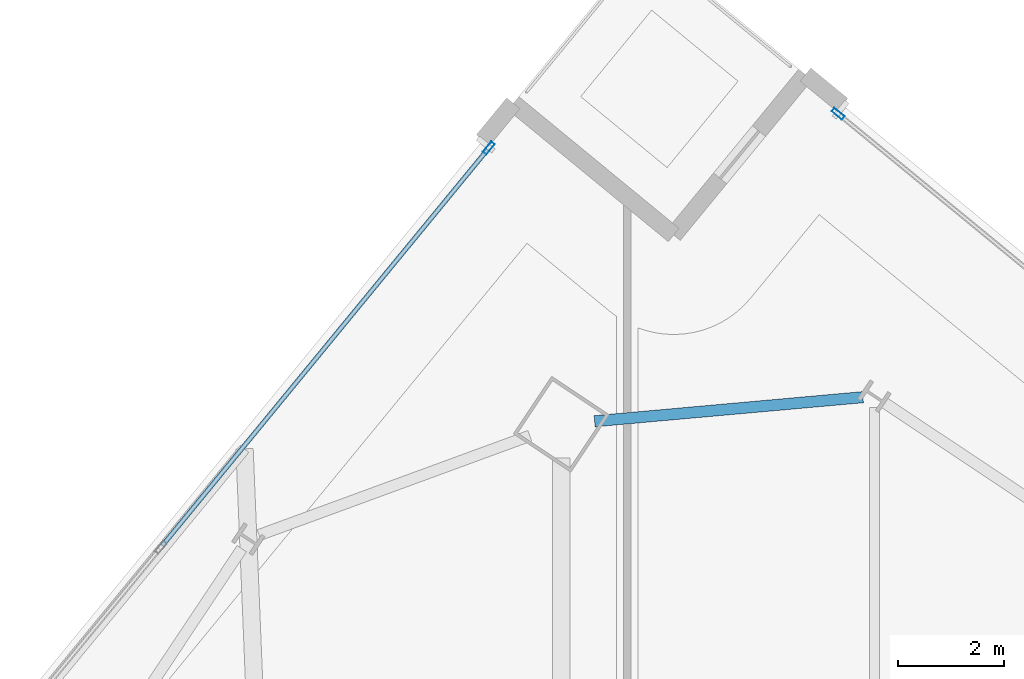
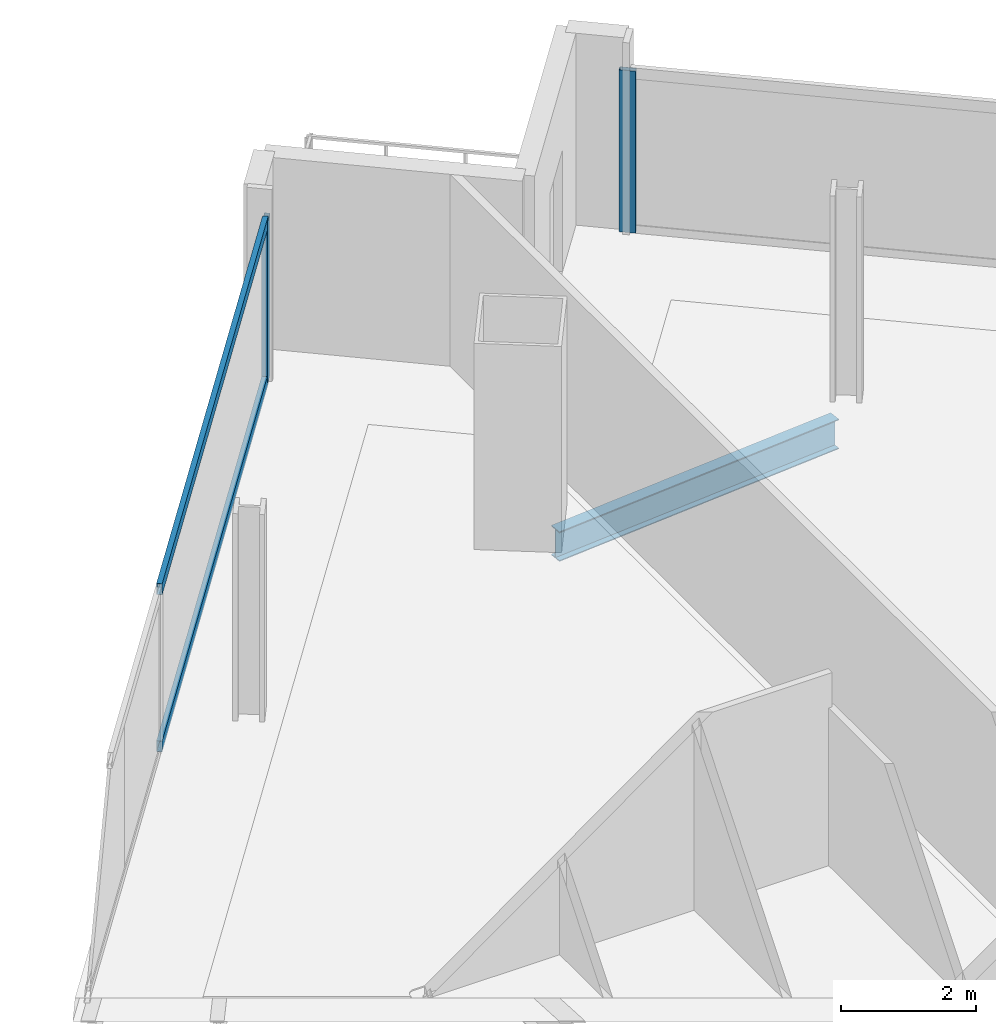
# One storey, part 15 of 28: 4 members, 1 beam, 2 elements without a shape of their own.
"""IFC4 building model written with IfcOpenShell, lengths in metres."""

from ifc_helpers import new_model, si_unit, direction, frame, origin, origin_2d, place, context, subcontext, project, spatial, hollow_rectangle, i_section, extrude, material, material_profile, profile_set, type_object, element, aggregate, save


model = new_model("IFC4")

# Units and contexts
model_context = context("Model", 3, precision=1e-05, world=origin(), true_north=direction((0.0, 1.0)))
body_context = subcontext(model_context, "Body", "Model", "MODEL_VIEW")
ifc_project = project(units=[si_unit("LENGTHUNIT", "METRE"), si_unit("AREAUNIT", "SQUARE_METRE"), si_unit("VOLUMEUNIT", "CUBIC_METRE"), si_unit("PLANEANGLEUNIT", "RADIAN"), si_unit("MASSUNIT", "GRAM", prefix="KILO")], contexts=[model_context])

# Site, building, storey
site_placement = place(None, origin())
site = spatial("IfcSite", under=ifc_project, at=site_placement, CompositionType="ELEMENT")
building_placement = place(site_placement, origin())
building = spatial("IfcBuilding", under=site, at=building_placement, Name="Haldenkirk Collegiate Tower", CompositionType="ELEMENT")
storey_placement = place(building_placement, frame((0.0, 0.0, 198.449951171875)))
storey = spatial("IfcBuildingStorey", under=building, at=storey_placement, Name="L49", CompositionType="ELEMENT", Elevation=198.449951171875)

# Beam
ifc_material_1 = material(Name="Steel ASTM A992 Grade 50", Category="steel")
ifc_material_profile_1 = material_profile(ifc_material_1, i_section(OverallWidth=0.2099609375, OverallDepth=0.537109375, WebThickness=0.010986328125, FlangeThickness=0.017333984375, at=origin_2d()), Name="W21X68")
ifc_profile_set_1 = profile_set([ifc_material_profile_1], Name="Steel ASTM A992 Grade 50")
beam_type = type_object("IfcBeamType", Name="BM-SPANDREL-W21X68", PredefinedType="SPANDREL", material=ifc_profile_set_1)
beam_placement = place(storey_placement, frame((37.9765625, 50.649169921875, -0.54833984375), z_axis=(-0.996001224794, -0.089339578066, 0.0), x_axis=(0.089339578066, -0.996001224794, 0.0)))
element("IfcBeam", 1, at=beam_placement, inside=storey, type_object=beam_type, Name="L49 perimeter spandrel beam 08", PredefinedType="SPANDREL", context=body_context, shape_type="SweptSolid", body=[
    extrude(i_section(OverallWidth=0.2099609375, OverallDepth=0.537109375, WebThickness=0.010986328125, FlangeThickness=0.017333984375, at=origin_2d()), origin(), (0.0, 0.0, 1.0), 5.06103515625),
])

# Curtain wall, member
ifc_material_2 = material(Name="Anodised architectural bronze aluminium", Category="aluminium")
curtain_wall_type = type_object("IfcCurtainWallType", Name="CW-SYS1B-CONVEX-HI", PredefinedType="USERDEFINED", material=ifc_material_2)
curtain_wall_1_placement = place(storey_placement, origin())
curtain_wall_1 = element("IfcCurtainWall", 2, at=curtain_wall_1_placement, inside=storey, type_object=curtain_wall_type, Name="L49 Upper tower high-wind convex bronze unitised curtain wall", ObjectType="UNITISED CURTAIN WALL", PredefinedType="USERDEFINED")
ifc_material_profile_2 = material_profile(ifc_material_2, hollow_rectangle(XDim=0.0849609375, YDim=0.25, WallThickness=0.0048828125, at=origin_2d()), Name="CW-MUL-1B")
ifc_profile_set_2 = profile_set([ifc_material_profile_2], Name="Anodised architectural bronze aluminium")
member_type_1 = type_object("IfcMemberType", Name="CW-MUL-1B", PredefinedType="MULLION", material=ifc_profile_set_2)
member_1_placement = place(storey_placement, frame((37.5107421875, 55.97314453125, 0.0), z_axis=(0.0, 0.0, 1.0), x_axis=(0.634731907043, 0.772732428582, 0.0)))
member_1 = element("IfcMember", 3, at=member_1_placement, type_object=member_type_1, Name="CW-1B mullion 1", PredefinedType="MULLION", context=body_context, shape_type="SweptSolid", body=[
    extrude(hollow_rectangle(XDim=0.0849609375, YDim=0.25, WallThickness=0.0048828125, at=origin_2d()), origin(), (0.0, 0.0, 1.0), 2.927978515625),
])
aggregate(curtain_wall_1, [member_1])

# Curtain wall, members
curtain_wall_2_placement = place(storey_placement, origin())
curtain_wall_2 = element("IfcCurtainWall", 4, at=curtain_wall_2_placement, inside=storey, type_object=curtain_wall_type, Name="L49 Upper tower high-wind convex bronze unitised curtain wall", ObjectType="UNITISED CURTAIN WALL", PredefinedType="USERDEFINED")
member_2_placement = place(storey_placement, frame((30.9482421875, 55.329345703125, 0.0), z_axis=(0.0, 0.0, 1.0), x_axis=(-0.772732318121, 0.634732041519, 0.0)))
member_2 = element("IfcMember", 5, at=member_2_placement, type_object=member_type_1, Name="CW-1B mullion 5", PredefinedType="MULLION", context=body_context, shape_type="SweptSolid", body=[
    extrude(hollow_rectangle(XDim=0.0849609375, YDim=0.25, WallThickness=0.0048828125, at=origin_2d()), origin(), (0.0, 0.0, 1.0), 2.927978515625),
])
ifc_material_profile_3 = material_profile(ifc_material_2, hollow_rectangle(XDim=0.0849609375, YDim=0.199951171875, WallThickness=0.0048828125, at=origin_2d()), Name="CW-TRN-1B")
ifc_profile_set_3 = profile_set([ifc_material_profile_3], Name="Anodised architectural bronze aluminium")
member_type_2 = type_object("IfcMemberType", Name="CW-TRN-1B", PredefinedType="USERDEFINED", material=ifc_profile_set_3)
member_3_placement = place(storey_placement, frame((24.813720703125, 47.861083984375, 0.04248046875), z_axis=(0.634732930563, 0.772731587849, 0.0), x_axis=(-0.772731587849, 0.634732930563, 0.0)))
member_3 = element("IfcMember", 6, at=member_3_placement, type_object=member_type_2, Name="CW-1B transom 4.1", ObjectType="TRANSOM", PredefinedType="USERDEFINED", context=body_context, shape_type="SweptSolid", body=[
    extrude(hollow_rectangle(XDim=0.0849609375, YDim=0.199951171875, WallThickness=0.0048828125, at=origin_2d()), origin(), (0.0, 0.0, 1.0), 9.622314453125),
])
member_4_placement = place(storey_placement, frame((24.813720703125, 47.861083984375, 2.885498046875), z_axis=(0.634732930563, 0.772731587849, 0.0), x_axis=(-0.772731587849, 0.634732930563, 0.0)))
member_4 = element("IfcMember", 7, at=member_4_placement, type_object=member_type_2, Name="CW-1B transom 4.2", ObjectType="TRANSOM", PredefinedType="USERDEFINED", context=body_context, shape_type="SweptSolid", body=[
    extrude(hollow_rectangle(XDim=0.0849609375, YDim=0.199951171875, WallThickness=0.0048828125, at=origin_2d()), origin(), (0.0, 0.0, 1.0), 9.622314453125),
])
aggregate(curtain_wall_2, [member_2, member_3, member_4])

save(model, "model.ifc")
